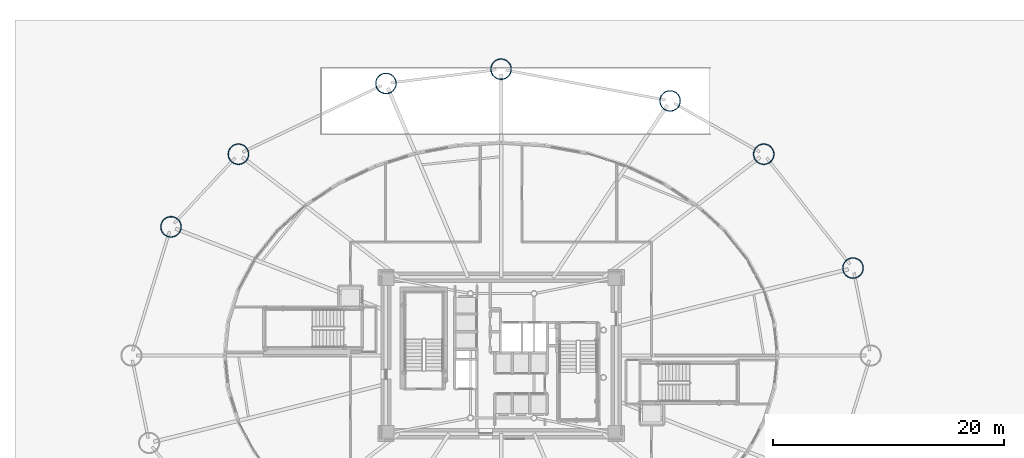
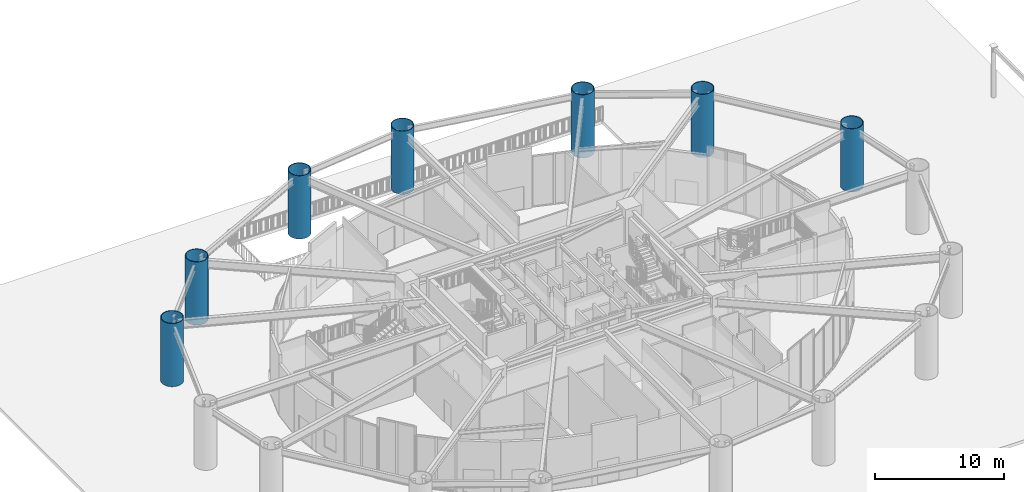
# One storey, part 3 of 46: 7 columns.
"""IFC4 building model written with IfcOpenShell, lengths in metres."""

import ifcopenshell
import ifcopenshell.guid

model = None  # the IFC model being written
_history = None  # IfcOwnerHistory: only IFC2X3 demands one
_inside = {}  # id of a spatial element -> (the spatial element, [elements in it])
_under = {}  # id of a project, library or spatial element -> (it, [spatial elements below it])
_declared = {}  # id of a project -> (the project, [libraries it declares])
_typed = {}  # id of a type object -> (the type object, [elements of that type])
_made_of = {}  # id of a material, layer set ... -> (it, [elements and type objects made of it])


def new_model(schema):
    """Start an empty IFC model of exactly this schema.

    Asked for "IFC4X3", IfcOpenShell would pick the latest addendum, in which some entities
    have other attributes; the version numbers below select the first issue.
    IFC2X3 requires an IfcOwnerHistory on every rooted entity: one is made here for all.
    """
    global model, _history
    if schema == "IFC4X3":
        model = ifcopenshell.file(schema_version=(4, 3, 0, 0))
    else:
        model = ifcopenshell.file(schema=schema)
    _inside.clear()
    _under.clear()
    _declared.clear()
    _typed.clear()
    _made_of.clear()
    _history = None
    if model.schema == "IFC2X3":
        org = make("IfcOrganization", Name="unknown")
        user = make(
            "IfcPersonAndOrganization",
            ThePerson=make("IfcPerson", FamilyName="unknown"),
            TheOrganization=org,
        )
        app = make(
            "IfcApplication",
            ApplicationDeveloper=org,
            Version="unknown",
            ApplicationFullName="unknown",
            ApplicationIdentifier="unknown",
        )
        _history = make(
            "IfcOwnerHistory",
            OwningUser=user,
            OwningApplication=app,
            ChangeAction="ADDED",
            CreationDate=0,
        )
    return model


def make(cls, **values):
    """One entity of the class cls with the attributes given. An attribute that is None is left unset."""
    return model.create_entity(
        cls, **{name: value for name, value in values.items() if value is not None}
    )


def rooted(cls, **values):
    """An entity with a GlobalId (a new one), such as an element, a storey or a relation."""
    return make(cls, GlobalId=ifcopenshell.guid.new(), OwnerHistory=_history, **values)


def si_unit(unit_type, name, prefix=None):
    """IfcSIUnit, for example si_unit("LENGTHUNIT", "METRE", prefix="MILLI")."""
    return make("IfcSIUnit", UnitType=unit_type, Prefix=prefix, Name=name)


def assignment(units):
    """IfcUnitAssignment: the units of a project."""
    return None if units is None else make("IfcUnitAssignment", Units=units)


def point(xyz):
    """IfcCartesianPoint."""
    return None if xyz is None else make("IfcCartesianPoint", Coordinates=xyz)


def direction(xyz):
    """IfcDirection."""
    return None if xyz is None else make("IfcDirection", DirectionRatios=xyz)


def frame(location, z_axis=None, x_axis=None):
    """IfcAxis2Placement3D, a coordinate frame: its origin and axes. An axis left out is left unset."""
    return make(
        "IfcAxis2Placement3D",
        Location=point(location),
        Axis=direction(z_axis),
        RefDirection=direction(x_axis),
    )


def frame_2d(location, x_axis=None):
    """IfcAxis2Placement2D, a coordinate frame in the plane: its origin and x axis."""
    return make(
        "IfcAxis2Placement2D", Location=point(location), RefDirection=direction(x_axis)
    )


def origin():
    """The frame at (0, 0, 0) with its axes left unset."""
    return frame((0.0, 0.0, 0.0))


def origin_2d():
    """The frame at (0, 0) in the plane with its x axis left unset."""
    return frame_2d((0.0, 0.0))


def place(relative_to, where):
    """IfcLocalPlacement: puts the frame where relative to a parent placement (None: the world)."""
    return make(
        "IfcLocalPlacement", PlacementRelTo=relative_to, RelativePlacement=where
    )


def context(
    kind, dimensions, precision=None, world=None, true_north=None, identifier=None
):
    """IfcGeometricRepresentationContext, for example the 3D "Model" context."""
    return make(
        "IfcGeometricRepresentationContext",
        ContextIdentifier=identifier,
        ContextType=kind,
        CoordinateSpaceDimension=dimensions,
        Precision=precision,
        WorldCoordinateSystem=world,
        TrueNorth=true_north,
    )


def subcontext(parent, identifier, kind, view, scale=None):
    """IfcGeometricRepresentationSubContext, for example "Body" below "Model"."""
    return make(
        "IfcGeometricRepresentationSubContext",
        ContextIdentifier=identifier,
        ContextType=kind,
        ParentContext=parent,
        TargetScale=scale,
        TargetView=view,
    )


def project(units=None, contexts=None):
    """IfcProject with its units and contexts."""
    return rooted(
        "IfcProject",
        Name="project",
        RepresentationContexts=contexts,
        UnitsInContext=assignment(units),
    )


def spatial(cls, under=None, at=None, **own):
    """A site, building, storey or space (cls), placed at a placement, below another one or the project."""
    s = rooted(cls, ObjectPlacement=at, **own)
    if under is not None:
        _under.setdefault(under.id(), (under, []))[1].append(s)
    return s


def profile(cls, at=None, kind="AREA", **sizes):
    """A parametric profile (cls). Its sizes go by their IFC names, for example OverallWidth=200.0."""
    return make(cls, ProfileType=kind, Position=at, **sizes)


def hollow_circle(**sizes):
    """IfcCircleHollowProfileDef."""
    return profile("IfcCircleHollowProfileDef", **sizes)


def extrude(swept, where, along, depth):
    """IfcExtrudedAreaSolid: the profile swept, set in the frame where, extruded along a direction by depth."""
    return make(
        "IfcExtrudedAreaSolid",
        SweptArea=swept,
        Position=where,
        ExtrudedDirection=direction(along),
        Depth=depth,
    )


def shape(context_of_items, identifier, shape_type, items):
    """IfcShapeRepresentation: the items that make up one representation, for example the "Body"."""
    return make(
        "IfcShapeRepresentation",
        ContextOfItems=context_of_items,
        RepresentationIdentifier=identifier,
        RepresentationType=shape_type,
        Items=items,
    )


def material(Name=None, Category=None):
    """IfcMaterial."""
    return make("IfcMaterial", Name=Name, Category=Category)


def material_profile(
    of_material, cross_section, Name=None, Category=None, Priority=None
):
    """IfcMaterialProfile: a cross section and its material."""
    return make(
        "IfcMaterialProfile",
        Name=Name,
        Material=of_material,
        Profile=cross_section,
        Priority=Priority,
        Category=Category,
    )


def profile_set(profiles, Name=None, composite=None):
    """IfcMaterialProfileSet."""
    return make(
        "IfcMaterialProfileSet",
        Name=Name,
        MaterialProfiles=profiles,
        CompositeProfile=composite,
    )


def made_of(thing, what):
    """Note that an element or type object is made of a material, layer set ...; save() writes the relation."""
    if what is not None:
        _made_of.setdefault(what.id(), (what, []))[1].append(thing)
    return thing


def type_object(cls, material=None, **own):
    """A type object (cls), such as IfcWallType, which elements share."""
    return made_of(rooted(cls, **own), material)


def element(
    cls,
    number,
    at=None,
    inside=None,
    cuts=None,
    type_object=None,
    material=None,
    context=None,
    identifier="Body",
    shape_type=None,
    held_by="IfcProductDefinitionShape",
    body=None,
    shapes=None,
    **own,
):
    """One element of the class cls, such as IfcWall. Its Tag is "e" and its number.

    at: its placement. inside: the storey or other place that contains it. cuts: it is an
    opening in that element (IfcRelVoidsElement). A single representation is given by context,
    identifier, shape_type and body (its items); several are given by shapes. held_by: the class
    of the entity that holds the representations. save() writes the other relations.
    """
    e = rooted(cls, Tag="e%d" % number, ObjectPlacement=at, **own)
    if body is not None:
        shapes = [shape(context, identifier, shape_type, body)]
    if shapes is not None:
        e.Representation = make(held_by, Representations=shapes)
    if inside is not None:
        _inside.setdefault(inside.id(), (inside, []))[1].append(e)
    if cuts is not None:
        rooted(
            "IfcRelVoidsElement", RelatingBuildingElement=cuts, RelatedOpeningElement=e
        )
    if type_object is not None:
        _typed.setdefault(type_object.id(), (type_object, []))[1].append(e)
    return made_of(e, material)


def aggregate(whole, parts):
    """IfcRelAggregates: a whole, such as a stair, and the parts it consists of."""
    return rooted("IfcRelAggregates", RelatingObject=whole, RelatedObjects=parts)


def save(model, path):
    """Write the relations noted so far, then the file.

    IfcRelAggregates (storeys below a building ...), IfcRelContainedInSpatialStructure (elements
    in a storey), IfcRelDefinesByType, IfcRelAssociatesMaterial and IfcRelDeclares: one each for
    every whole, place, type object, material and project.
    """
    for whole, parts in _under.values():
        aggregate(whole, parts)
    for where, things in _inside.values():
        rooted(
            "IfcRelContainedInSpatialStructure",
            RelatedElements=things,
            RelatingStructure=where,
        )
    for kind, things in _typed.values():
        rooted("IfcRelDefinesByType", RelatedObjects=things, RelatingType=kind)
    for what, things in _made_of.values():
        rooted("IfcRelAssociatesMaterial", RelatedObjects=things, RelatingMaterial=what)
    for by, libraries in _declared.values():
        rooted("IfcRelDeclares", RelatingContext=by, RelatedDefinitions=libraries)
    model.write(path)


model = new_model("IFC4")

# Units and contexts
model_context = context("Model", 3, precision=1e-05, world=origin(), true_north=direction((0.0, 1.0)))
body_context = subcontext(model_context, "Body", "Model", "MODEL_VIEW")
ifc_project = project(units=[si_unit("LENGTHUNIT", "METRE"), si_unit("AREAUNIT", "SQUARE_METRE"), si_unit("VOLUMEUNIT", "CUBIC_METRE"), si_unit("PLANEANGLEUNIT", "RADIAN"), si_unit("MASSUNIT", "GRAM", prefix="KILO")], contexts=[model_context])

# Site, building, storey
site_placement = place(None, origin())
site = spatial("IfcSite", under=ifc_project, at=site_placement, CompositionType="ELEMENT")
building_placement = place(site_placement, origin())
building = spatial("IfcBuilding", under=site, at=building_placement, Name="Linh Dai School and Residence Tower", CompositionType="ELEMENT")
storey_placement = place(building_placement, origin())
storey = spatial("IfcBuildingStorey", under=building, at=storey_placement, Name="L00", CompositionType="ELEMENT", Elevation=0.0)

# Columns
ifc_material = material(Name="Structural Steel S355JR", Category="steel")
ifc_material_profile = material_profile(ifc_material, hollow_circle(Radius=0.89990234375, WallThickness=0.050048828125, at=origin_2d()), Name="CHS 1800x50")
ifc_profile_set = profile_set([ifc_material_profile], Name="Structural Steel S355JR")
column_type = type_object("IfcColumnType", Name="COL-MC1", PredefinedType="COLUMN", material=ifc_profile_set)
for number, where, z_axis, x_axis, name in (
    (1, (66.42041015625, 34.555419921875, 0.0), (0.0, 0.0, 1.0), (1.0, 0.0, 0.0), "L00 Perimeter CFT Mega-Column MC02"),
    (2, (58.705322265625, 44.400634765625, 0.0), (0.0, 0.0, 1.0), (1.0, 0.0, 0.0), "L00 Perimeter CFT Mega-Column MC03"),
    (3, (50.609130859375, 49.005126953125, 0.0), (0.0, 0.0, 1.0), (1.0, 0.0, 0.0), "L00 Perimeter CFT Mega-Column MC04"),
    (4, (36.0, 51.75, 0.0), (0.0, 0.0, 1.0), (1.0, 0.0, 0.0), "L00 Perimeter CFT Mega-Column MC05"),
    (5, (26.048828125, 50.51611328125, 0.0), (0.0, 0.0, 1.0), (1.0, 0.0, 0.0), "L00 Perimeter CFT Mega-Column MC06"),
    (6, (13.294677734375, 44.400634765625, 0.0), (0.0, 0.0, 1.0), (1.0, 0.0, 0.0), "L00 Perimeter CFT Mega-Column MC07"),
    (7, (7.46630859375, 38.1220703125, 0.0), (0.0, 0.0, 1.0), (1.0, 0.0, 0.0), "L00 Perimeter CFT Mega-Column MC08"),
):
    element("IfcColumn", number, at=place(storey_placement, frame(where, z_axis=z_axis, x_axis=x_axis)), inside=storey, type_object=column_type, Name=name, PredefinedType="COLUMN", context=body_context, shape_type="SweptSolid", body=[
        extrude(hollow_circle(Radius=0.89990234375, WallThickness=0.050048828125, at=origin_2d()), origin(), (0.0, 0.0, 1.0), 6.0),
    ])

save(model, "model.ifc")
